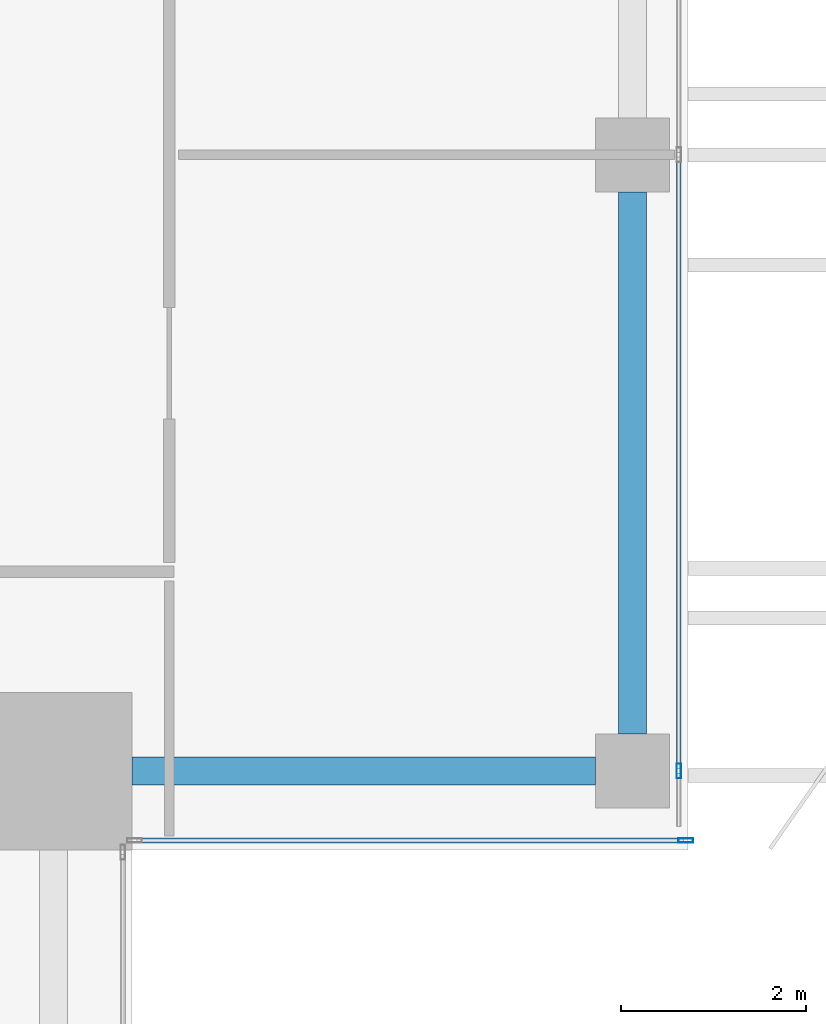
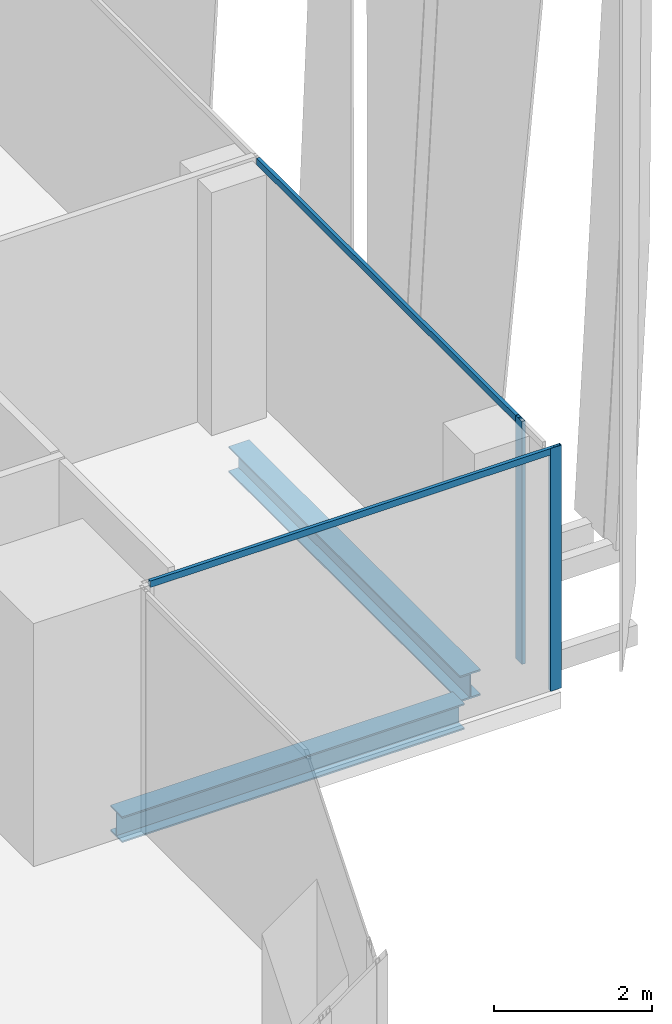
# One storey, part 8 of 32: 4 members, 2 beams, 2 elements without a shape of their own.
"""IFC4 building model written with IfcOpenShell, lengths in metres."""

from ifc_helpers import new_model, si_unit, direction, frame, origin, origin_2d, place, context, subcontext, project, spatial, hollow_rectangle, i_section, extrude, source, transform, mapped, material, material_profile, profile_set, type_object, element, aggregate, save


model = new_model("IFC4")

# Units and contexts
model_context = context("Model", 3, precision=1e-05, world=origin(), true_north=direction((0.0, 1.0)))
body_context = subcontext(model_context, "Body", "Model", "MODEL_VIEW")
ifc_project = project(units=[si_unit("LENGTHUNIT", "METRE"), si_unit("AREAUNIT", "SQUARE_METRE"), si_unit("VOLUMEUNIT", "CUBIC_METRE"), si_unit("PLANEANGLEUNIT", "RADIAN"), si_unit("MASSUNIT", "GRAM", prefix="KILO")], contexts=[model_context])

# Site, building, storey
site_placement = place(None, origin())
site = spatial("IfcSite", under=ifc_project, at=site_placement, CompositionType="ELEMENT")
building_placement = place(site_placement, origin())
building = spatial("IfcBuilding", under=site, at=building_placement, Name="Khomas Fold Tower", CompositionType="ELEMENT")
storey_placement = place(building_placement, frame((0.0, 0.0, 306.199951171875)))
storey = spatial("IfcBuildingStorey", under=building, at=storey_placement, Name="L69", CompositionType="ELEMENT", Elevation=306.199951171875)

# Beams
ifc_material_1 = material(Name="Steel S355", Category="steel")
ifc_material_profile_1 = material_profile(ifc_material_1, i_section(OverallWidth=0.300048828125, OverallDepth=0.39990234375, WebThickness=0.013427734375, FlangeThickness=0.02392578125, at=origin_2d()), Name="HE 400 B")
ifc_profile_set_1 = profile_set([ifc_material_profile_1], Name="Steel S355")
beam_type = type_object("IfcBeamType", Name="HE 400 B spandrel SB5", PredefinedType="SPANDREL", material=ifc_profile_set_1)
shared_shape_1 = source(origin(), body_context, "Body", "SweptSolid", [
    extrude(i_section(OverallWidth=0.300048828125, OverallDepth=0.39990234375, WebThickness=0.013427734375, FlangeThickness=0.02392578125, at=origin_2d()), origin(), (0.0, 0.0, 1.0), 5.85009765625),
])
beam_1_placement = place(storey_placement, frame((47.39990234375, 13.25, -0.449951171875), z_axis=(0.0, 1.0, 0.0), x_axis=(-1.0, 0.0, 0.0)))
element("IfcBeam", 1, at=beam_1_placement, inside=storey, type_object=beam_type, Name="SB5", PredefinedType="SPANDREL", context=body_context, shape_type="MappedRepresentation", body=[
    mapped(shared_shape_1, transform((0.0, 0.0, 0.0))),
])
shared_shape_2 = source(origin(), body_context, "Body", "SweptSolid", [
    extrude(i_section(OverallWidth=0.300048828125, OverallDepth=0.39990234375, WebThickness=0.013427734375, FlangeThickness=0.02392578125, at=origin_2d()), origin(), (0.0, 0.0, 1.0), 5.0),
])
beam_2_placement = place(storey_placement, frame((42.0, 12.85009765625, -0.449951171875), z_axis=(1.0, 0.0, 0.0), x_axis=(0.0, 1.0, 0.0)))
element("IfcBeam", 2, at=beam_2_placement, inside=storey, type_object=beam_type, Name="SB5", PredefinedType="SPANDREL", context=body_context, shape_type="MappedRepresentation", body=[
    mapped(shared_shape_2, transform((0.0, 0.0, 0.0))),
])

# Curtain wall, member
ifc_material_2 = material(Name="Aluminium framed double glazing", Category="aluminium")
curtain_wall_type = type_object("IfcCurtainWallType", Name="SK-Unitised clear-glass wall, upper floors CW3", PredefinedType="NOTDEFINED", material=ifc_material_2)
curtain_wall_1_placement = place(storey_placement, origin())
curtain_wall_1 = element("IfcCurtainWall", 3, at=curtain_wall_1_placement, inside=storey, type_object=curtain_wall_type, Name="CW3 corner return L69 02", PredefinedType="NOTDEFINED")
ifc_material_3 = material(Name="Aluminium", Category="aluminium")
ifc_material_profile_2 = material_profile(ifc_material_3, hollow_rectangle(XDim=0.050048828125, YDim=0.159912109375, WallThickness=0.00390625, at=origin_2d()), Name="SK-Unitised clear-glass wall, upper floors mullion CW3-M")
ifc_profile_set_2 = profile_set([ifc_material_profile_2], Name="Aluminium")
member_type_1 = type_object("IfcMemberType", Name="SK-Unitised clear-glass wall, upper floors mullion CW3-M", PredefinedType="MULLION", material=ifc_profile_set_2)
shared_shape_3 = source(origin(), body_context, "Body", "SweptSolid", [
    extrude(hollow_rectangle(XDim=0.050048828125, YDim=0.159912109375, WallThickness=0.00390625, at=origin_2d()), origin(), (0.0, 0.0, 1.0), 3.75),
])
member_1_placement = place(storey_placement, frame((47.97509765625, 12.10009765625, 0.0), z_axis=(0.0, 0.0, 1.0), x_axis=(0.0, 1.0, 0.0)))
member_1 = element("IfcMember", 4, at=member_1_placement, type_object=member_type_1, Name="CW3 mullion 2", PredefinedType="MULLION", context=body_context, shape_type="MappedRepresentation", body=[
    mapped(shared_shape_3, transform((0.0, 0.0, 0.0))),
])

# Curtain wall, members
curtain_wall_2_placement = place(storey_placement, origin())
curtain_wall_2 = element("IfcCurtainWall", 5, at=curtain_wall_2_placement, inside=storey, type_object=curtain_wall_type, Name="CW3 run L69 03-0", PredefinedType="NOTDEFINED")
member_2_placement = place(storey_placement, frame((47.89990234375, 12.85009765625, 0.0), z_axis=(0.0, 0.0, 1.0), x_axis=(-1.0, 0.0, 0.0)))
member_2 = element("IfcMember", 6, at=member_2_placement, type_object=member_type_1, Name="CW3 mullion 2", PredefinedType="MULLION", context=body_context, shape_type="MappedRepresentation", body=[
    mapped(shared_shape_3, transform((0.0, 0.0, 0.0))),
])
ifc_material_4 = material(Name="Aluminium", Category="aluminium")
ifc_material_profile_3 = material_profile(ifc_material_4, hollow_rectangle(XDim=0.050048828125, YDim=0.10009765625, WallThickness=0.00390625, at=origin_2d()), Name="SK-Unitised clear-glass wall, upper floors transom CW3-T")
ifc_profile_set_3 = profile_set([ifc_material_profile_3], Name="Aluminium")
member_type_2 = type_object("IfcMemberType", Name="SK-Unitised clear-glass wall, upper floors transom CW3-T", PredefinedType="USERDEFINED", material=ifc_profile_set_3)
shared_shape_4 = source(origin(), body_context, "Body", "SweptSolid", [
    extrude(hollow_rectangle(XDim=0.050048828125, YDim=0.10009765625, WallThickness=0.00390625, at=origin_2d()), origin(), (0.0, 0.0, 1.0), 6.60009765625),
])
member_3_placement = place(storey_placement, frame((47.89990234375, 12.875, 3.699951171875), z_axis=(0.0, 1.0, 0.0), x_axis=(-1.0, 0.0, 0.0)))
member_3 = element("IfcMember", 7, at=member_3_placement, type_object=member_type_2, Name="CW3 transom 2", ObjectType="TRANSOM", PredefinedType="USERDEFINED", context=body_context, shape_type="MappedRepresentation", body=[
    mapped(shared_shape_4, transform((0.0, 0.0, 0.0))),
])
aggregate(curtain_wall_2, [member_2, member_3])

# Member
shared_shape_5 = source(origin(), body_context, "Body", "SweptSolid", [
    extrude(hollow_rectangle(XDim=0.050048828125, YDim=0.10009765625, WallThickness=0.00390625, at=origin_2d()), origin(), (0.0, 0.0, 1.0), 5.89990234375),
])
member_4_placement = place(storey_placement, frame((42.050048828125, 12.10009765625, 3.699951171875), z_axis=(1.0, 0.0, 0.0), x_axis=(0.0, 1.0, 0.0)))
member_4 = element("IfcMember", 8, at=member_4_placement, type_object=member_type_2, Name="CW3 transom 1", ObjectType="TRANSOM", PredefinedType="USERDEFINED", context=body_context, shape_type="MappedRepresentation", body=[
    mapped(shared_shape_5, transform((0.0, 0.0, 0.0))),
])

aggregate(curtain_wall_1, [member_1, member_4])

save(model, "model.ifc")
